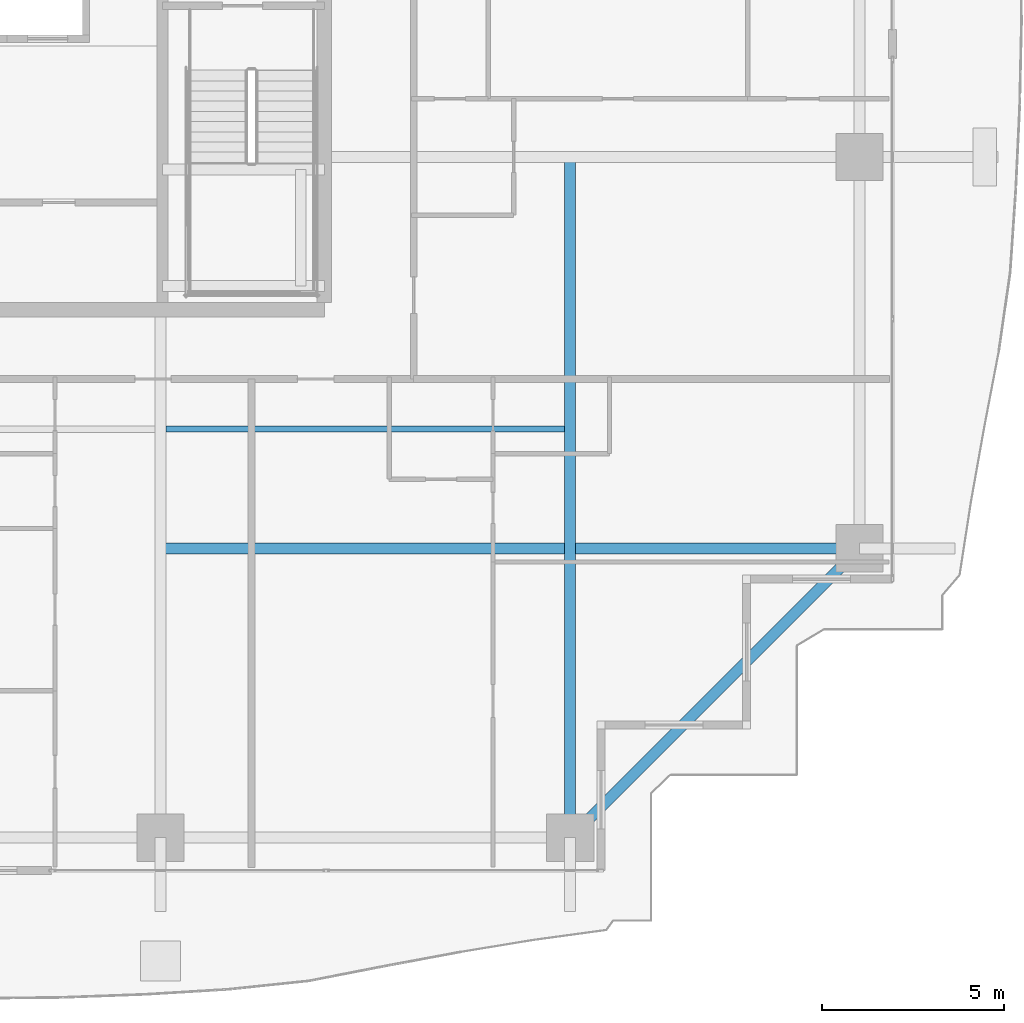
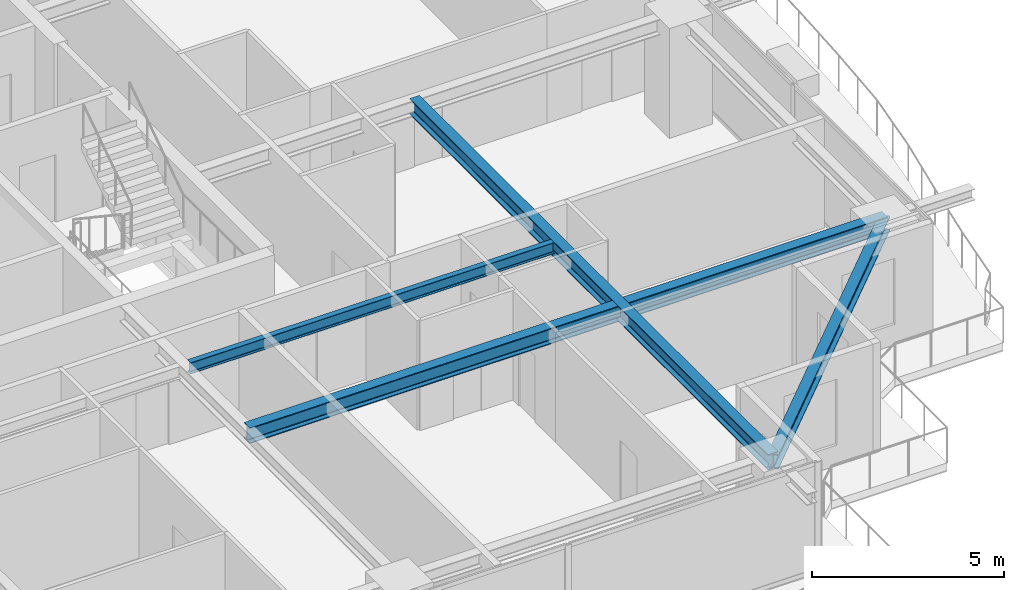
# One storey, part 12 of 37: 4 beams.
"""IFC4 building model written with IfcOpenShell, lengths in metres."""

from ifc_helpers import new_model, si_unit, direction, frame, origin, origin_2d, place, context, subcontext, project, spatial, i_section, extrude, source, transform, mapped, material, material_profile, profile_set, type_object, element, save


model = new_model("IFC4")

# Units and contexts
model_context = context("Model", 3, precision=1e-05, world=origin(), true_north=direction((0.0, 1.0)))
body_context = subcontext(model_context, "Body", "Model", "MODEL_VIEW")
ifc_project = project(units=[si_unit("LENGTHUNIT", "METRE"), si_unit("AREAUNIT", "SQUARE_METRE"), si_unit("VOLUMEUNIT", "CUBIC_METRE"), si_unit("PLANEANGLEUNIT", "RADIAN"), si_unit("MASSUNIT", "GRAM", prefix="KILO")], contexts=[model_context])

# Site, building, storey
site_placement = place(None, origin())
site = spatial("IfcSite", under=ifc_project, at=site_placement, CompositionType="ELEMENT")
building_placement = place(site_placement, origin())
building = spatial("IfcBuilding", under=site, at=building_placement, Name="Serunith Strait Residences", CompositionType="ELEMENT")
storey_placement = place(building_placement, frame((0.0, 0.0, 161.39990234375)))
storey = spatial("IfcBuildingStorey", under=building, at=storey_placement, Name="L40", CompositionType="ELEMENT", Elevation=161.39990234375)

# Beams
ifc_material = material(Name="Steel S355J2", Category="steel")
ifc_material_profile_1 = material_profile(ifc_material, i_section(OverallWidth=0.300048828125, OverallDepth=0.5, WebThickness=0.014404296875, FlangeThickness=0.028076171875, FilletRadius=0.027099609375, at=origin_2d()), Name="HEB 500")
ifc_profile_set_1 = profile_set([ifc_material_profile_1], Name="Steel S355J2")
beam_type_1 = type_object("IfcBeamType", Name="BM-HEB500", PredefinedType="BEAM", material=ifc_profile_set_1)
shared_shape_1 = source(origin(), body_context, "Body", "SweptSolid", [
    extrude(i_section(OverallWidth=0.300048828125, OverallDepth=0.5, WebThickness=0.014404296875, FlangeThickness=0.028076171875, FilletRadius=0.027099609375, at=origin_2d()), origin(), (0.0, 0.0, 1.0), 18.699951171875),
])
beam_1_placement = place(storey_placement, frame((48.14990234375, 21.0, 3.237060546875), z_axis=(0.0, -1.0, 0.0), x_axis=(1.0, 0.0, 0.0)))
element("IfcBeam", 1, at=beam_1_placement, inside=storey, type_object=beam_type_1, Name="L40 Orthogonal Corner Girder TC-S4", PredefinedType="BEAM", context=body_context, shape_type="MappedRepresentation", body=[
    mapped(shared_shape_1, transform((0.0, 0.0, 0.0), scale=1.0)),
])
shared_shape_2 = source(origin(), body_context, "Body", "SweptSolid", [
    extrude(i_section(OverallWidth=0.300048828125, OverallDepth=0.5, WebThickness=0.014404296875, FlangeThickness=0.028076171875, FilletRadius=0.027099609375, at=origin_2d()), origin(), (0.0, 0.0, 1.0), 19.2001953125),
])
beam_2_placement = place(storey_placement, frame((36.89990234375, 10.25, 3.237060546875), z_axis=(1.0, 0.0, 0.0), x_axis=(0.0, 1.0, 0.0)))
element("IfcBeam", 2, at=beam_2_placement, inside=storey, type_object=beam_type_1, Name="L40 Orthogonal Corner Girder TC-E1", PredefinedType="BEAM", context=body_context, shape_type="MappedRepresentation", body=[
    mapped(shared_shape_2, transform((0.0, 0.0, 0.0), scale=1.0)),
])
ifc_material_profile_2 = material_profile(ifc_material, i_section(OverallWidth=0.300048828125, OverallDepth=0.449951171875, WebThickness=0.013916015625, FlangeThickness=0.02587890625, FilletRadius=0.027099609375, at=origin_2d()), Name="HEB 450")
ifc_profile_set_2 = profile_set([ifc_material_profile_2], Name="Steel S355J2")
beam_type_2 = type_object("IfcBeamType", Name="BM-HEB450", PredefinedType="BEAM", material=ifc_profile_set_2)
shared_shape_3 = source(origin(), body_context, "Body", "SweptSolid", [
    extrude(i_section(OverallWidth=0.300048828125, OverallDepth=0.449951171875, WebThickness=0.013916015625, FlangeThickness=0.02587890625, FilletRadius=0.027099609375, at=origin_2d()), origin(), (0.0, 0.0, 1.0), 11.2431640625),
])
beam_3_placement = place(storey_placement, frame((48.14990234375, 2.300048828125, 3.232177734375), z_axis=(0.707117638455, 0.707095923751, 0.0), x_axis=(-0.707095923751, 0.707117638455, 0.0)))
element("IfcBeam", 3, at=beam_3_placement, inside=storey, type_object=beam_type_2, Name="L40 Perimeter Ring Beam 04", PredefinedType="BEAM", context=body_context, shape_type="MappedRepresentation", body=[
    mapped(shared_shape_3, transform((0.0, 0.0, 0.0), scale=1.0)),
])
ifc_material_profile_3 = material_profile(ifc_material, i_section(OverallWidth=0.169921875, OverallDepth=0.360107421875, WebThickness=0.008056640625, FlangeThickness=0.0126953125, FilletRadius=0.01806640625, at=origin_2d()), Name="IPE 360")
ifc_profile_set_3 = profile_set([ifc_material_profile_3], Name="Steel S355J2")
beam_type_3 = type_object("IfcBeamType", Name="BM-IPE360", PredefinedType="JOIST", material=ifc_profile_set_3)
shared_shape_4 = source(origin(), body_context, "Body", "SweptSolid", [
    extrude(i_section(OverallWidth=0.169921875, OverallDepth=0.360107421875, WebThickness=0.008056640625, FlangeThickness=0.0126953125, FilletRadius=0.01806640625, at=origin_2d()), origin(), (0.0, 0.0, 1.0), 10.949951171875),
])
beam_4_placement = place(storey_placement, frame((37.050048828125, 13.52490234375, 3.30712890625), z_axis=(1.0, 0.0, 0.0), x_axis=(0.0, 1.0, 0.0)))
element("IfcBeam", 4, at=beam_4_placement, inside=storey, type_object=beam_type_3, Name="L40 Composite Floor Joist 03", PredefinedType="JOIST", context=body_context, shape_type="MappedRepresentation", body=[
    mapped(shared_shape_4, transform((0.0, 0.0, 0.0), scale=1.0)),
])

save(model, "model.ifc")
